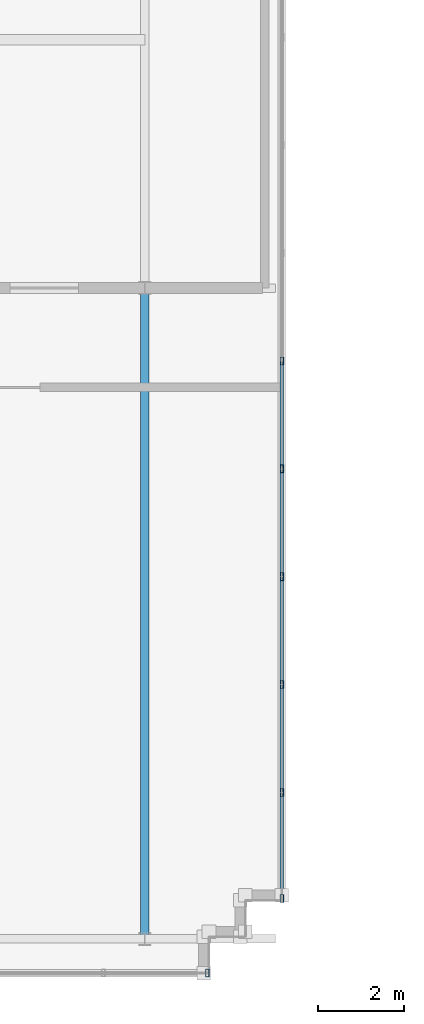
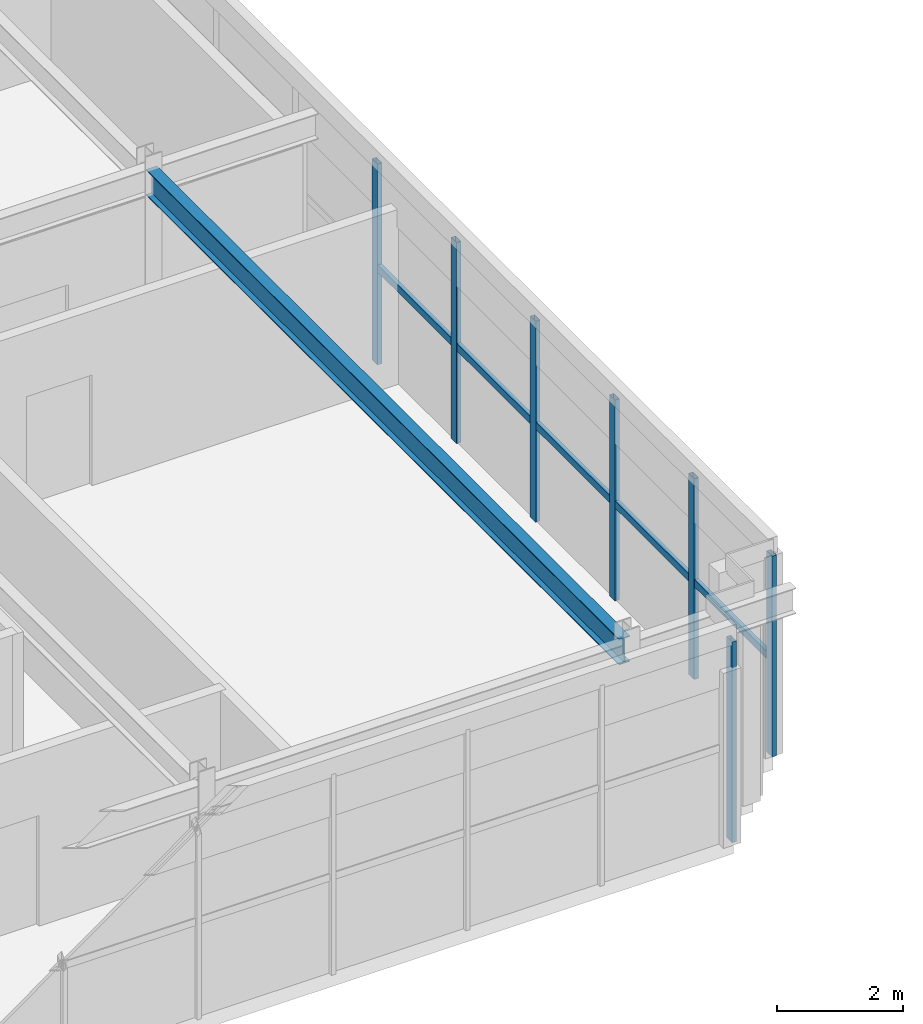
# One storey, part 6 of 25: 12 members, 1 beam, 2 elements without a shape of their own.
"""IFC4 building model written with IfcOpenShell, lengths in metres."""

from ifc_helpers import new_model, si_unit, direction, frame, origin, origin_2d, place, context, subcontext, project, spatial, hollow_rectangle, i_section, extrude, source, transform, mapped, material, material_profile, profile_set, type_object, element, aggregate, save


model = new_model("IFC4")

# Units and contexts
model_context = context("Model", 3, precision=1e-05, world=origin(), true_north=direction((0.0, 1.0)))
body_context = subcontext(model_context, "Body", "Model", "MODEL_VIEW")
ifc_project = project(units=[si_unit("LENGTHUNIT", "METRE"), si_unit("AREAUNIT", "SQUARE_METRE"), si_unit("VOLUMEUNIT", "CUBIC_METRE"), si_unit("PLANEANGLEUNIT", "RADIAN"), si_unit("MASSUNIT", "GRAM", prefix="KILO")], contexts=[model_context])

# Site, building, storey
site_placement = place(None, origin())
site = spatial("IfcSite", under=ifc_project, at=site_placement, CompositionType="ELEMENT")
building_placement = place(site_placement, origin())
building = spatial("IfcBuilding", under=site, at=building_placement, Name="Trelvane Seafront Commons", CompositionType="ELEMENT")
storey_placement = place(building_placement, frame((0.0, 0.0, 320.89990234375)))
storey = spatial("IfcBuildingStorey", under=building, at=storey_placement, Name="L83", CompositionType="ELEMENT", Elevation=320.89990234375)

# Beam
ifc_material_1 = material(Name="Steel SM355 (S355)", Category="steel")
ifc_material_profile_1 = material_profile(ifc_material_1, i_section(OverallWidth=0.199951171875, OverallDepth=0.5, WebThickness=0.010009765625, FlangeThickness=0.01611328125, at=origin_2d()), Name="H-500x200x10x16")
ifc_profile_set_1 = profile_set([ifc_material_profile_1], Name="Steel SM355 (S355)")
beam_type = type_object("IfcBeamType", Name="STR-BM-H500", PredefinedType="BEAM", material=ifc_profile_set_1)
shared_shape_1 = source(origin(), body_context, "Body", "SweptSolid", [
    extrude(i_section(OverallWidth=0.199951171875, OverallDepth=0.5, WebThickness=0.010009765625, FlangeThickness=0.01611328125, at=origin_2d()), origin(), (0.0, 0.0, 1.0), 15.050048828125),
])
beam_placement = place(storey_placement, frame((23.39990234375, 18.27490234375, 3.650146484375), z_axis=(0.0, 1.0, 0.0), x_axis=(-1.0, 0.0, 0.0)))
element("IfcBeam", 1, at=beam_placement, inside=storey, type_object=beam_type, Name="L83 Primary Girder G-17", PredefinedType="BEAM", context=body_context, shape_type="MappedRepresentation", body=[
    mapped(shared_shape_1, transform((0.0, 0.0, 0.0), x_axis=(1.0, 0.0, 0.0), y_axis=(0.0, 1.0, 0.0), z_axis=(0.0, 0.0, 1.0), scale=1.0)),
])

# Curtain wall, members
ifc_material_2 = material(Name="Anodised pale-silver aluminium", Category="aluminium")
curtain_wall_type = type_object("IfcCurtainWallType", Name="ARCH-CW6-CROWN", PredefinedType="NOTDEFINED", material=ifc_material_2)
curtain_wall_1_placement = place(storey_placement, origin())
curtain_wall_1 = element("IfcCurtainWall", 2, at=curtain_wall_1_placement, inside=storey, type_object=curtain_wall_type, Name="CW-L83-0162", PredefinedType="NOTDEFINED")
ifc_material_profile_2 = material_profile(ifc_material_2, hollow_rectangle(XDim=0.080078125, YDim=0.179931640625, WallThickness=0.00439453125, at=origin_2d()), Name="MULL-80x180x4.5")
ifc_profile_set_2 = profile_set([ifc_material_profile_2], Name="Anodised pale-silver aluminium")
member_type_1 = type_object("IfcMemberType", Name="ARCH-CW-MULL-180", PredefinedType="MULLION", material=ifc_profile_set_2)
shared_shape_2 = source(origin(), body_context, "Body", "SweptSolid", [
    extrude(hollow_rectangle(XDim=0.080078125, YDim=0.179931640625, WallThickness=0.00439453125, at=origin_2d()), origin(), (0.0, 0.0, 1.0), 3.900146484375),
])
member_1_placement = place(storey_placement, frame((26.60009765625, 31.699951171875, 0.0), z_axis=(0.0, 0.0, 1.0), x_axis=(1.0, 0.0, 0.0)))
member_1 = element("IfcMember", 3, at=member_1_placement, type_object=member_type_1, Name="CW-L83-0162-M05", PredefinedType="MULLION", context=body_context, shape_type="MappedRepresentation", body=[
    mapped(shared_shape_2, transform((0.0, 0.0, 0.0), x_axis=(1.0, 0.0, 0.0), y_axis=(0.0, 1.0, 0.0), z_axis=(0.0, 0.0, 1.0), scale=1.0)),
])
member_2_placement = place(storey_placement, frame((26.60009765625, 29.179931640625, 0.0), z_axis=(0.0, 0.0, 1.0), x_axis=(1.0, 0.0, 0.0)))
member_2 = element("IfcMember", 4, at=member_2_placement, type_object=member_type_1, Name="CW-L83-0162-M06", PredefinedType="MULLION", context=body_context, shape_type="MappedRepresentation", body=[
    mapped(shared_shape_2, transform((0.0, 0.0, 0.0), x_axis=(1.0, 0.0, 0.0), y_axis=(0.0, 1.0, 0.0), z_axis=(0.0, 0.0, 1.0), scale=1.0)),
])
member_3_placement = place(storey_placement, frame((26.60009765625, 26.659912109375, 0.0), z_axis=(0.0, 0.0, 1.0), x_axis=(1.0, 0.0, 0.0)))
member_3 = element("IfcMember", 5, at=member_3_placement, type_object=member_type_1, Name="CW-L83-0162-M07", PredefinedType="MULLION", context=body_context, shape_type="MappedRepresentation", body=[
    mapped(shared_shape_2, transform((0.0, 0.0, 0.0), x_axis=(1.0, 0.0, 0.0), y_axis=(0.0, 1.0, 0.0), z_axis=(0.0, 0.0, 1.0), scale=1.0)),
])
member_4_placement = place(storey_placement, frame((26.60009765625, 24.139892578125, 0.0), z_axis=(0.0, 0.0, 1.0), x_axis=(1.0, 0.0, 0.0)))
member_4 = element("IfcMember", 6, at=member_4_placement, type_object=member_type_1, Name="CW-L83-0162-M08", PredefinedType="MULLION", context=body_context, shape_type="MappedRepresentation", body=[
    mapped(shared_shape_2, transform((0.0, 0.0, 0.0), x_axis=(1.0, 0.0, 0.0), y_axis=(0.0, 1.0, 0.0), z_axis=(0.0, 0.0, 1.0), scale=1.0)),
])
member_5_placement = place(storey_placement, frame((26.60009765625, 21.6201171875, 0.0), z_axis=(0.0, 0.0, 1.0), x_axis=(1.0, 0.0, 0.0)))
member_5 = element("IfcMember", 7, at=member_5_placement, type_object=member_type_1, Name="CW-L83-0162-M09", PredefinedType="MULLION", context=body_context, shape_type="MappedRepresentation", body=[
    mapped(shared_shape_2, transform((0.0, 0.0, 0.0), x_axis=(1.0, 0.0, 0.0), y_axis=(0.0, 1.0, 0.0), z_axis=(0.0, 0.0, 1.0), scale=1.0)),
])
member_6_placement = place(storey_placement, frame((26.60009765625, 19.139892578125, 0.0), z_axis=(0.0, 0.0, 1.0), x_axis=(1.0, 0.0, 0.0)))
member_6 = element("IfcMember", 8, at=member_6_placement, type_object=member_type_1, Name="CW-L83-0162-M10", PredefinedType="MULLION", context=body_context, shape_type="MappedRepresentation", body=[
    mapped(shared_shape_2, transform((0.0, 0.0, 0.0), x_axis=(1.0, 0.0, 0.0), y_axis=(0.0, 1.0, 0.0), z_axis=(0.0, 0.0, 1.0), scale=1.0)),
])

# Curtain wall, member
curtain_wall_2_placement = place(storey_placement, origin())
curtain_wall_2 = element("IfcCurtainWall", 9, at=curtain_wall_2_placement, inside=storey, type_object=curtain_wall_type, Name="CW-L83-0163", PredefinedType="NOTDEFINED")
member_7_placement = place(storey_placement, frame((24.860107421875, 17.39990234375, 0.0), z_axis=(0.0, 0.0, 1.0), x_axis=(1.0, 0.0, 0.0)))
member_7 = element("IfcMember", 10, at=member_7_placement, type_object=member_type_1, Name="CW-L83-0163-M00", PredefinedType="MULLION", context=body_context, shape_type="MappedRepresentation", body=[
    mapped(shared_shape_2, transform((0.0, 0.0, 0.0), x_axis=(1.0, 0.0, 0.0), y_axis=(0.0, 1.0, 0.0), z_axis=(0.0, 0.0, 1.0), scale=1.0)),
])
aggregate(curtain_wall_2, [member_7])

# Member
ifc_material_profile_3 = material_profile(ifc_material_2, hollow_rectangle(XDim=0.074951171875, YDim=0.139892578125, WallThickness=0.00390625, at=origin_2d()), Name="TRAN-75x140x4")
ifc_profile_set_3 = profile_set([ifc_material_profile_3], Name="Anodised pale-silver aluminium")
member_type_2 = type_object("IfcMemberType", Name="ARCH-CW-TRAN-140", PredefinedType="USERDEFINED", material=ifc_profile_set_3)
shared_shape_3 = source(origin(), body_context, "Body", "SweptSolid", [
    extrude(hollow_rectangle(XDim=0.074951171875, YDim=0.139892578125, WallThickness=0.00390625, at=origin_2d()), origin(), (0.0, 0.0, 1.0), 2.495849609375),
])
member_8_placement = place(storey_placement, frame((26.60009765625, 29.16796875, 1.8720703125), z_axis=(0.0, -1.0, 0.0), x_axis=(1.0, 0.0, 0.0)))
member_8 = element("IfcMember", 11, at=member_8_placement, type_object=member_type_2, Name="CW-L83-0162-T06", ObjectType="TRANSOM", PredefinedType="USERDEFINED", context=body_context, shape_type="MappedRepresentation", body=[
    mapped(shared_shape_3, transform((0.0, 0.0, 0.0), x_axis=(1.0, 0.0, 0.0), y_axis=(0.0, 1.0, 0.0), z_axis=(0.0, 0.0, 1.0), scale=1.0)),
])

member_9_placement = place(storey_placement, frame((26.60009765625, 26.64794921875, 1.8720703125), z_axis=(0.0, -1.0, 0.0), x_axis=(1.0, 0.0, 0.0)))
member_9 = element("IfcMember", 12, at=member_9_placement, type_object=member_type_2, Name="CW-L83-0162-T07", ObjectType="TRANSOM", PredefinedType="USERDEFINED", context=body_context, shape_type="MappedRepresentation", body=[
    mapped(shared_shape_3, transform((0.0, 0.0, 0.0), x_axis=(1.0, 0.0, 0.0), y_axis=(0.0, 1.0, 0.0), z_axis=(0.0, 0.0, 1.0), scale=1.0)),
])

member_10_placement = place(storey_placement, frame((26.60009765625, 24.1279296875, 1.8720703125), z_axis=(0.0, -1.0, 0.0), x_axis=(1.0, 0.0, 0.0)))
member_10 = element("IfcMember", 13, at=member_10_placement, type_object=member_type_2, Name="CW-L83-0162-T08", ObjectType="TRANSOM", PredefinedType="USERDEFINED", context=body_context, shape_type="MappedRepresentation", body=[
    mapped(shared_shape_3, transform((0.0, 0.0, 0.0), x_axis=(1.0, 0.0, 0.0), y_axis=(0.0, 1.0, 0.0), z_axis=(0.0, 0.0, 1.0), scale=1.0)),
])

member_11_placement = place(storey_placement, frame((26.60009765625, 21.60791015625, 1.8720703125), z_axis=(0.0, -1.0, 0.0), x_axis=(1.0, 0.0, 0.0)))
member_11 = element("IfcMember", 14, at=member_11_placement, type_object=member_type_2, Name="CW-L83-0162-T09", ObjectType="TRANSOM", PredefinedType="USERDEFINED", context=body_context, shape_type="MappedRepresentation", body=[
    mapped(shared_shape_3, transform((0.0, 0.0, 0.0), x_axis=(1.0, 0.0, 0.0), y_axis=(0.0, 1.0, 0.0), z_axis=(0.0, 0.0, 1.0), scale=1.0)),
])

shared_shape_4 = source(origin(), body_context, "Body", "SweptSolid", [
    extrude(hollow_rectangle(XDim=0.074951171875, YDim=0.139892578125, WallThickness=0.00390625, at=origin_2d()), origin(), (0.0, 0.0, 1.0), 2.49609375),
])
member_12_placement = place(storey_placement, frame((26.60009765625, 31.68798828125, 1.8720703125), z_axis=(0.0, -1.0, 0.0), x_axis=(1.0, 0.0, 0.0)))
member_12 = element("IfcMember", 15, at=member_12_placement, type_object=member_type_2, Name="CW-L83-0162-T05", ObjectType="TRANSOM", PredefinedType="USERDEFINED", context=body_context, shape_type="MappedRepresentation", body=[
    mapped(shared_shape_4, transform((0.0, 0.0, 0.0), x_axis=(1.0, 0.0, 0.0), y_axis=(0.0, 1.0, 0.0), z_axis=(0.0, 0.0, 1.0), scale=1.0)),
])

aggregate(curtain_wall_1, [member_1, member_2, member_3, member_4, member_5, member_6, member_12, member_8, member_9, member_10, member_11])

save(model, "model.ifc")
